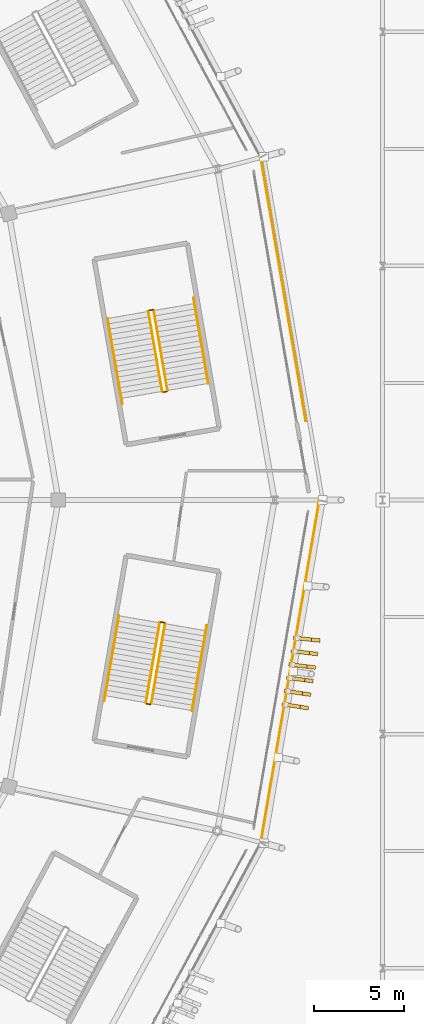
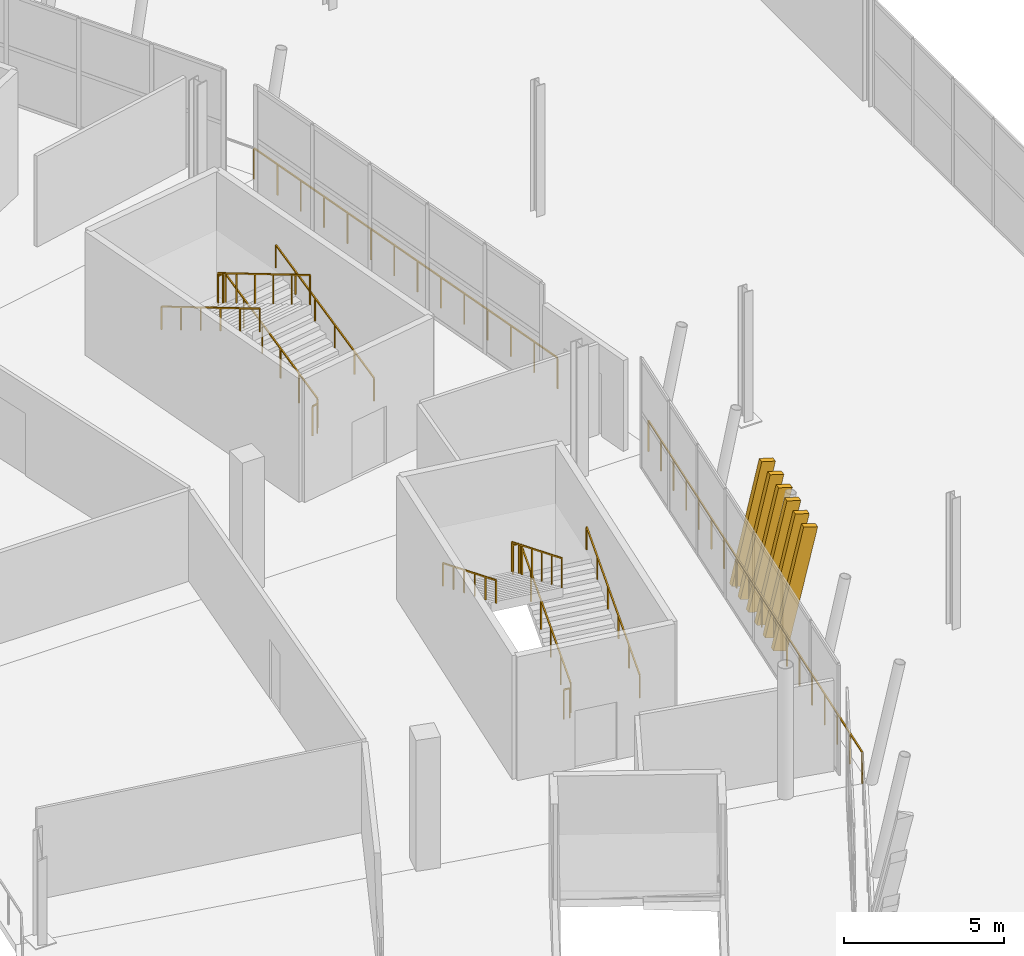
# One storey, part 168 of 179: 14 railings, 6 shading devices.
"""IFC4 building model written with IfcOpenShell, lengths in metres."""

from ifc_helpers import new_model, si_unit, direction, frame, origin, origin_2d, place, context, subcontext, project, spatial, rectangle, extrude, material, material_profile, profile_set, type_object, element, save


model = new_model("IFC4")

# Units and contexts
model_context = context("Model", 3, precision=1e-05, world=origin(), true_north=direction((0.0, 1.0)))
body_context = subcontext(model_context, "Body", "Model", "MODEL_VIEW")
ifc_project = project(units=[si_unit("LENGTHUNIT", "METRE"), si_unit("AREAUNIT", "SQUARE_METRE"), si_unit("VOLUMEUNIT", "CUBIC_METRE"), si_unit("PLANEANGLEUNIT", "RADIAN"), si_unit("MASSUNIT", "GRAM", prefix="KILO")], contexts=[model_context])

# Site, building, storey
site_placement = place(None, origin())
site = spatial("IfcSite", under=ifc_project, at=site_placement, CompositionType="ELEMENT")
building_placement = place(site_placement, origin())
building = spatial("IfcBuilding", under=site, at=building_placement, Name="Zlatoyarsky Gate Stadium", CompositionType="ELEMENT")
storey_placement = place(building_placement, frame((0.0, 0.0, 10.60009765625)))
storey = spatial("IfcBuildingStorey", under=building, at=storey_placement, Name="L02", CompositionType="ELEMENT", Elevation=10.60009765625)

# Railings
ifc_material_1 = material(Name="Powder-coated steel tubular guardrail", Category="steel")
railing_type_1 = type_object("IfcRailingType", Name="CONCOURSE SLAB EDGE GUARDRAIL 1200", PredefinedType="GUARDRAIL", material=ifc_material_1)
railing_1_placement = place(storey_placement, frame((205.74560546875, 84.38623046875, 0.0)))
element("IfcRailing", 1, at=railing_1_placement, inside=storey, type_object=railing_type_1, Name="L02 outer slab edge guardrail 00", PredefinedType="GUARDRAIL", context=body_context, shape_type="SweptSolid", body=[
    extrude(rectangle(XDim=0.048095703125, YDim=0.048095703125, at=origin_2d()), frame((0.0, 0.0, 1.17578125), z_axis=(-0.168612863217, 0.985682353681, 0.0), x_axis=(-0.985682353681, -0.168612863217, 0.0)), (0.0, 0.0, 1.0), 14.8486328125),
    extrude(rectangle(XDim=0.0419921875, YDim=0.0419921875, at=origin_2d()), origin(), (0.0, 0.0, 1.0), 1.15185546875),
    extrude(rectangle(XDim=0.0419921875, YDim=0.0419921875, at=origin_2d()), frame((-0.192626953125, 1.125732421875, 0.0)), (0.0, 0.0, 1.0), 1.15185546875),
    extrude(rectangle(XDim=0.0419921875, YDim=0.0419921875, at=origin_2d()), frame((-0.38525390625, 2.251708984375, 0.0)), (0.0, 0.0, 1.0), 1.15185546875),
    extrude(rectangle(XDim=0.0419921875, YDim=0.0419921875, at=origin_2d()), frame((-0.577880859375, 3.37744140625, 0.0)), (0.0, 0.0, 1.0), 1.15185546875),
    extrude(rectangle(XDim=0.0419921875, YDim=0.0419921875, at=origin_2d()), frame((-0.770263671875, 4.50341796875, 0.0)), (0.0, 0.0, 1.0), 1.15185546875),
    extrude(rectangle(XDim=0.0419921875, YDim=0.0419921875, at=origin_2d()), frame((-0.962890625, 5.629150390625, 0.0)), (0.0, 0.0, 1.0), 1.15185546875),
    extrude(rectangle(XDim=0.0419921875, YDim=0.0419921875, at=origin_2d()), frame((-1.155517578125, 6.755126953125, 0.0)), (0.0, 0.0, 1.0), 1.15185546875),
    extrude(rectangle(XDim=0.0419921875, YDim=0.0419921875, at=origin_2d()), frame((-1.34814453125, 7.880859375, 0.0)), (0.0, 0.0, 1.0), 1.15185546875),
    extrude(rectangle(XDim=0.0419921875, YDim=0.0419921875, at=origin_2d()), frame((-1.540771484375, 9.0068359375, 0.0)), (0.0, 0.0, 1.0), 1.15185546875),
    extrude(rectangle(XDim=0.0419921875, YDim=0.0419921875, at=origin_2d()), frame((-1.7333984375, 10.132568359375, 0.0)), (0.0, 0.0, 1.0), 1.15185546875),
    extrude(rectangle(XDim=0.0419921875, YDim=0.0419921875, at=origin_2d()), frame((-1.92578125, 11.258544921875, 0.0)), (0.0, 0.0, 1.0), 1.15185546875),
    extrude(rectangle(XDim=0.0419921875, YDim=0.0419921875, at=origin_2d()), frame((-2.118408203125, 12.38427734375, 0.0)), (0.0, 0.0, 1.0), 1.15185546875),
    extrude(rectangle(XDim=0.0419921875, YDim=0.0419921875, at=origin_2d()), frame((-2.31103515625, 13.51025390625, 0.0)), (0.0, 0.0, 1.0), 1.15185546875),
    extrude(rectangle(XDim=0.0419921875, YDim=0.0419921875, at=origin_2d()), frame((-2.503662109375, 14.635986328125, 0.0)), (0.0, 0.0, 1.0), 1.15185546875),
])
railing_2_placement = place(storey_placement, frame((203.241943359375, 60.977783203125, 0.0)))
element("IfcRailing", 2, at=railing_2_placement, inside=storey, type_object=railing_type_1, Name="L02 outer slab edge guardrail 23", PredefinedType="GUARDRAIL", context=body_context, shape_type="SweptSolid", body=[
    extrude(rectangle(XDim=0.048095703125, YDim=0.048095703125, at=origin_2d()), frame((0.0, 0.0, 1.17578125), z_axis=(0.168609161888, 0.985682986831, 0.0), x_axis=(-0.985682986831, 0.168609161888, 0.0)), (0.0, 0.0, 1.0), 19.298583984375),
    extrude(rectangle(XDim=0.0419921875, YDim=0.0419921875, at=origin_2d()), origin(), (0.0, 0.0, 1.0), 1.15185546875),
    extrude(rectangle(XDim=0.0419921875, YDim=0.0419921875, at=origin_2d()), frame((0.19140625, 1.118896484375, 0.0)), (0.0, 0.0, 1.0), 1.15185546875),
    extrude(rectangle(XDim=0.0419921875, YDim=0.0419921875, at=origin_2d()), frame((0.3828125, 2.23779296875, 0.0)), (0.0, 0.0, 1.0), 1.15185546875),
    extrude(rectangle(XDim=0.0419921875, YDim=0.0419921875, at=origin_2d()), frame((0.57421875, 3.35693359375, 0.0)), (0.0, 0.0, 1.0), 1.15185546875),
    extrude(rectangle(XDim=0.0419921875, YDim=0.0419921875, at=origin_2d()), frame((0.765625, 4.475830078125, 0.0)), (0.0, 0.0, 1.0), 1.15185546875),
    extrude(rectangle(XDim=0.0419921875, YDim=0.0419921875, at=origin_2d()), frame((0.95703125, 5.5947265625, 0.0)), (0.0, 0.0, 1.0), 1.15185546875),
    extrude(rectangle(XDim=0.0419921875, YDim=0.0419921875, at=origin_2d()), frame((1.1484375, 6.713623046875, 0.0)), (0.0, 0.0, 1.0), 1.15185546875),
    extrude(rectangle(XDim=0.0419921875, YDim=0.0419921875, at=origin_2d()), frame((1.33984375, 7.832763671875, 0.0)), (0.0, 0.0, 1.0), 1.15185546875),
    extrude(rectangle(XDim=0.0419921875, YDim=0.0419921875, at=origin_2d()), frame((1.53125, 8.95166015625, 0.0)), (0.0, 0.0, 1.0), 1.15185546875),
    extrude(rectangle(XDim=0.0419921875, YDim=0.0419921875, at=origin_2d()), frame((1.72265625, 10.070556640625, 0.0)), (0.0, 0.0, 1.0), 1.15185546875),
    extrude(rectangle(XDim=0.0419921875, YDim=0.0419921875, at=origin_2d()), frame((1.9140625, 11.189453125, 0.0)), (0.0, 0.0, 1.0), 1.15185546875),
    extrude(rectangle(XDim=0.0419921875, YDim=0.0419921875, at=origin_2d()), frame((2.10546875, 12.30859375, 0.0)), (0.0, 0.0, 1.0), 1.15185546875),
    extrude(rectangle(XDim=0.0419921875, YDim=0.0419921875, at=origin_2d()), frame((2.296875, 13.427490234375, 0.0)), (0.0, 0.0, 1.0), 1.15185546875),
    extrude(rectangle(XDim=0.0419921875, YDim=0.0419921875, at=origin_2d()), frame((2.48828125, 14.54638671875, 0.0)), (0.0, 0.0, 1.0), 1.15185546875),
    extrude(rectangle(XDim=0.0419921875, YDim=0.0419921875, at=origin_2d()), frame((2.6796875, 15.665283203125, 0.0)), (0.0, 0.0, 1.0), 1.15185546875),
    extrude(rectangle(XDim=0.0419921875, YDim=0.0419921875, at=origin_2d()), frame((2.87109375, 16.784423828125, 0.0)), (0.0, 0.0, 1.0), 1.15185546875),
    extrude(rectangle(XDim=0.0419921875, YDim=0.0419921875, at=origin_2d()), frame((3.0625, 17.9033203125, 0.0)), (0.0, 0.0, 1.0), 1.15185546875),
    extrude(rectangle(XDim=0.0419921875, YDim=0.0419921875, at=origin_2d()), frame((3.25390625, 19.022216796875, 0.0)), (0.0, 0.0, 1.0), 1.15185546875),
])
ifc_material_2 = material(Name="Powder-coated steel stair guardrail", Category="steel")
railing_type_2 = type_object("IfcRailingType", Name="PAINTED STEEL STAIR WELL GUARDRAIL 1150", PredefinedType="GUARDRAIL", material=ifc_material_2)
railing_3_placement = place(storey_placement, frame((198.0595703125, 86.085693359375, 0.15625)))
element("IfcRailing", 3, at=railing_3_placement, inside=storey, type_object=railing_type_2, Name="ST-01 L02 stair guard 1", PredefinedType="GUARDRAIL", context=body_context, shape_type="SweptSolid", body=[
    extrude(rectangle(XDim=0.048095703125, YDim=0.048095703125, at=origin_2d()), frame((0.0, 0.0, 1.1259765625), z_axis=(-0.150705808246, 0.874016698911, 0.461933511867), x_axis=(-0.985457609709, -0.16992145087, 0.0)), (0.0, 0.0, 1.0), 5.07373046875),
    extrude(rectangle(XDim=0.0419921875, YDim=0.0419921875, at=origin_2d()), origin(), (0.0, 0.0, 1.0), 1.101806640625),
    extrude(rectangle(XDim=0.0419921875, YDim=0.0419921875, at=origin_2d()), frame((-0.15283203125, 0.886962890625, 0.46875)), (0.0, 0.0, 1.0), 1.101806640625),
    extrude(rectangle(XDim=0.0419921875, YDim=0.0419921875, at=origin_2d()), frame((-0.305908203125, 1.77392578125, 0.9375)), (0.0, 0.0, 1.0), 1.101806640625),
    extrude(rectangle(XDim=0.0419921875, YDim=0.0419921875, at=origin_2d()), frame((-0.458740234375, 2.66064453125, 1.40625)), (0.0, 0.0, 1.0), 1.101806640625),
    extrude(rectangle(XDim=0.0419921875, YDim=0.0419921875, at=origin_2d()), frame((-0.61181640625, 3.547607421875, 1.875)), (0.0, 0.0, 1.0), 1.101806640625),
    extrude(rectangle(XDim=0.0419921875, YDim=0.0419921875, at=origin_2d()), frame((-0.7646484375, 4.4345703125, 2.34375)), (0.0, 0.0, 1.0), 1.101806640625),
])
railing_4_placement = place(storey_placement, frame((197.237060546875, 90.56103515625, 2.5)))
element("IfcRailing", 4, at=railing_4_placement, inside=storey, type_object=railing_type_2, Name="ST-01 L02 stair guard 2", PredefinedType="GUARDRAIL", context=body_context, shape_type="SweptSolid", body=[
    extrude(rectangle(XDim=0.048095703125, YDim=0.048095703125, at=origin_2d()), frame((0.0, 0.0, 1.1259765625), z_axis=(-0.985488304827, -0.16974333875, 0.0), x_axis=(0.16974333875, -0.985488304827, 0.0)), (0.0, 0.0, 1.0), 0.199951171875),
    extrude(rectangle(XDim=0.0419921875, YDim=0.0419921875, at=origin_2d()), origin(), (0.0, 0.0, 1.0), 1.101806640625),
    extrude(rectangle(XDim=0.0419921875, YDim=0.0419921875, at=origin_2d()), frame((-0.197021484375, -0.033935546875, 0.0)), (0.0, 0.0, 1.0), 1.101806640625),
])
railing_5_placement = place(storey_placement, frame((196.999267578125, 90.469482421875, 2.65625)))
element("IfcRailing", 5, at=railing_5_placement, inside=storey, type_object=railing_type_2, Name="ST-01 L02 stair guard 3", PredefinedType="GUARDRAIL", context=body_context, shape_type="SweptSolid", body=[
    extrude(rectangle(XDim=0.048095703125, YDim=0.048095703125, at=origin_2d()), frame((0.0, 0.0, 1.1259765625), z_axis=(0.150705808246, -0.874016698911, 0.461933511867), x_axis=(0.985457609709, 0.16992145087, 0.0)), (0.0, 0.0, 1.0), 5.07373046875),
    extrude(rectangle(XDim=0.0419921875, YDim=0.0419921875, at=origin_2d()), origin(), (0.0, 0.0, 1.0), 1.101806640625),
    extrude(rectangle(XDim=0.0419921875, YDim=0.0419921875, at=origin_2d()), frame((0.15283203125, -0.886962890625, 0.46875)), (0.0, 0.0, 1.0), 1.101806640625),
    extrude(rectangle(XDim=0.0419921875, YDim=0.0419921875, at=origin_2d()), frame((0.305908203125, -1.77392578125, 0.9375)), (0.0, 0.0, 1.0), 1.101806640625),
    extrude(rectangle(XDim=0.0419921875, YDim=0.0419921875, at=origin_2d()), frame((0.458740234375, -2.66064453125, 1.40625)), (0.0, 0.0, 1.0), 1.101806640625),
    extrude(rectangle(XDim=0.0419921875, YDim=0.0419921875, at=origin_2d()), frame((0.61181640625, -3.547607421875, 1.875)), (0.0, 0.0, 1.0), 1.101806640625),
    extrude(rectangle(XDim=0.0419921875, YDim=0.0419921875, at=origin_2d()), frame((0.7646484375, -4.4345703125, 2.34375)), (0.0, 0.0, 1.0), 1.101806640625),
])
railing_6_placement = place(storey_placement, frame((198.018798828125, 86.028076171875, 0.0)))
element("IfcRailing", 6, at=railing_6_placement, inside=storey, type_object=railing_type_2, Name="ST-01 L02 stair guard 4", PredefinedType="GUARDRAIL", context=body_context, shape_type="SweptSolid", body=[
    extrude(rectangle(XDim=0.048095703125, YDim=0.048095703125, at=origin_2d()), frame((0.0, 0.0, 1.1259765625), z_axis=(-0.985488304827, -0.16974333875, 0.0), x_axis=(0.16974333875, -0.985488304827, 0.0)), (0.0, 0.0, 1.0), 0.199951171875),
    extrude(rectangle(XDim=0.0419921875, YDim=0.0419921875, at=origin_2d()), origin(), (0.0, 0.0, 1.0), 1.101806640625),
    extrude(rectangle(XDim=0.0419921875, YDim=0.0419921875, at=origin_2d()), frame((-0.197021484375, -0.033935546875, 0.0)), (0.0, 0.0, 1.0), 1.101806640625),
])
railing_7_placement = place(storey_placement, frame((197.158935546875, 68.69140625, 0.15625)))
element("IfcRailing", 7, at=railing_7_placement, inside=storey, type_object=railing_type_2, Name="ST-20 L02 stair guard 1", PredefinedType="GUARDRAIL", context=body_context, shape_type="SweptSolid", body=[
    extrude(rectangle(XDim=0.048095703125, YDim=0.048095703125, at=origin_2d()), frame((0.0, 0.0, 1.1259765625), z_axis=(0.150705808246, 0.874016698911, 0.461933511867), x_axis=(-0.985457609709, 0.16992145087, 0.0)), (0.0, 0.0, 1.0), 5.07373046875),
    extrude(rectangle(XDim=0.0419921875, YDim=0.0419921875, at=origin_2d()), origin(), (0.0, 0.0, 1.0), 1.101806640625),
    extrude(rectangle(XDim=0.0419921875, YDim=0.0419921875, at=origin_2d()), frame((0.15283203125, 0.886962890625, 0.46875)), (0.0, 0.0, 1.0), 1.101806640625),
    extrude(rectangle(XDim=0.0419921875, YDim=0.0419921875, at=origin_2d()), frame((0.305908203125, 1.77392578125, 0.9375)), (0.0, 0.0, 1.0), 1.101806640625),
    extrude(rectangle(XDim=0.0419921875, YDim=0.0419921875, at=origin_2d()), frame((0.458740234375, 2.66064453125, 1.40625)), (0.0, 0.0, 1.0), 1.101806640625),
    extrude(rectangle(XDim=0.0419921875, YDim=0.0419921875, at=origin_2d()), frame((0.61181640625, 3.547607421875, 1.875)), (0.0, 0.0, 1.0), 1.101806640625),
    extrude(rectangle(XDim=0.0419921875, YDim=0.0419921875, at=origin_2d()), frame((0.7646484375, 4.4345703125, 2.34375)), (0.0, 0.0, 1.0), 1.101806640625),
])
railing_8_placement = place(storey_placement, frame((197.8828125, 73.18359375, 2.5)))
element("IfcRailing", 8, at=railing_8_placement, inside=storey, type_object=railing_type_2, Name="ST-20 L02 stair guard 2", PredefinedType="GUARDRAIL", context=body_context, shape_type="SweptSolid", body=[
    extrude(rectangle(XDim=0.048095703125, YDim=0.048095703125, at=origin_2d()), frame((0.0, 0.0, 1.1259765625), z_axis=(-0.985488304827, 0.16974333875, 0.0), x_axis=(-0.16974333875, -0.985488304827, 0.0)), (0.0, 0.0, 1.0), 0.199951171875),
    extrude(rectangle(XDim=0.0419921875, YDim=0.0419921875, at=origin_2d()), origin(), (0.0, 0.0, 1.0), 1.101806640625),
    extrude(rectangle(XDim=0.0419921875, YDim=0.0419921875, at=origin_2d()), frame((-0.197021484375, 0.033935546875, 0.0)), (0.0, 0.0, 1.0), 1.101806640625),
])
railing_9_placement = place(storey_placement, frame((197.6279296875, 73.1767578125, 2.65625)))
element("IfcRailing", 9, at=railing_9_placement, inside=storey, type_object=railing_type_2, Name="ST-20 L02 stair guard 3", PredefinedType="GUARDRAIL", context=body_context, shape_type="SweptSolid", body=[
    extrude(rectangle(XDim=0.048095703125, YDim=0.048095703125, at=origin_2d()), frame((0.0, 0.0, 1.1259765625), z_axis=(-0.150705808246, -0.874016698911, 0.461933511867), x_axis=(0.985457609709, -0.16992145087, 0.0)), (0.0, 0.0, 1.0), 5.07373046875),
    extrude(rectangle(XDim=0.0419921875, YDim=0.0419921875, at=origin_2d()), origin(), (0.0, 0.0, 1.0), 1.101806640625),
    extrude(rectangle(XDim=0.0419921875, YDim=0.0419921875, at=origin_2d()), frame((-0.15283203125, -0.886962890625, 0.46875)), (0.0, 0.0, 1.0), 1.101806640625),
    extrude(rectangle(XDim=0.0419921875, YDim=0.0419921875, at=origin_2d()), frame((-0.305908203125, -1.77392578125, 0.9375)), (0.0, 0.0, 1.0), 1.101806640625),
    extrude(rectangle(XDim=0.0419921875, YDim=0.0419921875, at=origin_2d()), frame((-0.458740234375, -2.66064453125, 1.40625)), (0.0, 0.0, 1.0), 1.101806640625),
    extrude(rectangle(XDim=0.0419921875, YDim=0.0419921875, at=origin_2d()), frame((-0.61181640625, -3.547607421875, 1.875)), (0.0, 0.0, 1.0), 1.101806640625),
    extrude(rectangle(XDim=0.0419921875, YDim=0.0419921875, at=origin_2d()), frame((-0.7646484375, -4.4345703125, 2.34375)), (0.0, 0.0, 1.0), 1.101806640625),
])
railing_10_placement = place(storey_placement, frame((197.10107421875, 68.650634765625, 0.0)))
element("IfcRailing", 10, at=railing_10_placement, inside=storey, type_object=railing_type_2, Name="ST-20 L02 stair guard 4", PredefinedType="GUARDRAIL", context=body_context, shape_type="SweptSolid", body=[
    extrude(rectangle(XDim=0.048095703125, YDim=0.048095703125, at=origin_2d()), frame((0.0, 0.0, 1.1259765625), z_axis=(-0.985488304827, 0.16974333875, 0.0), x_axis=(-0.16974333875, -0.985488304827, 0.0)), (0.0, 0.0, 1.0), 0.199951171875),
    extrude(rectangle(XDim=0.0419921875, YDim=0.0419921875, at=origin_2d()), origin(), (0.0, 0.0, 1.0), 1.101806640625),
    extrude(rectangle(XDim=0.0419921875, YDim=0.0419921875, at=origin_2d()), frame((-0.197021484375, 0.033935546875, 0.0)), (0.0, 0.0, 1.0), 1.101806640625),
])

# Shading devices
ifc_material_3 = material(Name="Precast concrete C40/50 stone-toned architectural rib", Category="masonry")
ifc_material_profile = material_profile(ifc_material_3, rectangle(XDim=0.199951171875, YDim=0.47998046875, at=origin_2d()), Name="RIB 200X480")
ifc_profile_set = profile_set([ifc_material_profile], Name="Precast concrete C40/50 stone-toned architectural rib")
shading_device_type = type_object("IfcShadingDeviceType", Name="PRECAST FLUTED GATE LOUVRE BLADE 200X480", PredefinedType="SHUTTER", material=ifc_profile_set)
for number, where, z_axis, x_axis, name in (
    (11, (204.651123046875, 68.627685546875, -0.010009765625), (0.218837821303, -0.034489010691, 0.975151534947), (0.155679254543, 0.987807658254, 0.0), "Leaning bowl louvre fin L02-23-1"),
    (12, (204.777587890625, 69.3671875, -0.010009765625), (0.219157317157, -0.032310293121, 0.975154405874), (0.145853104937, 0.989306257829, 0.0), "Leaning bowl louvre fin L02-23-2"),
):
    element("IfcShadingDevice", number, at=place(storey_placement, frame(where, z_axis=z_axis, x_axis=x_axis)), inside=storey, type_object=shading_device_type, Name=name, PredefinedType="SHUTTER", context=body_context, shape_type="SweptSolid", body=[
        extrude(rectangle(XDim=0.199951171875, YDim=0.47998046875, at=origin_2d()), origin(), (0.0, 0.0, 1.0), 4.59423828125),
    ])
for number, where, z_axis, x_axis, name in (
    (13, (204.904052734375, 70.1064453125, -0.010009765625), (0.219425869262, -0.030025579107, 0.975167038254), (0.135573627963, 0.990767274087, 0.0), "Leaning bowl louvre fin L02-23-3"),
    (14, (205.030517578125, 70.845703125, -0.010009765625), (0.219692941436, -0.027793761096, 0.975173070961), (0.125511419329, 0.992092174961, 0.0), "Leaning bowl louvre fin L02-23-4"),
):
    element("IfcShadingDevice", number, at=place(storey_placement, frame(where, z_axis=z_axis, x_axis=x_axis)), inside=storey, type_object=shading_device_type, Name=name, PredefinedType="SHUTTER", context=body_context, shape_type="SweptSolid", body=[
        extrude(rectangle(XDim=0.199951171875, YDim=0.47998046875, at=origin_2d()), origin(), (0.0, 0.0, 1.0), 4.593994140625),
    ])
for number, where, z_axis, x_axis, name in (
    (15, (205.15673828125, 71.5849609375, -0.010009765625), (0.220060045727, -0.025561188601, 0.975151373845), (0.115379767914, 0.993321453084, 0.0), "Leaning bowl louvre fin L02-23-5"),
    (16, (205.283203125, 72.32421875, -0.010009765625), (0.220324885015, -0.023329142432, 0.97514752533), (0.105296560496, 0.994440865184, 0.0), "Leaning bowl louvre fin L02-23-6"),
):
    element("IfcShadingDevice", number, at=place(storey_placement, frame(where, z_axis=z_axis, x_axis=x_axis)), inside=storey, type_object=shading_device_type, Name=name, PredefinedType="SHUTTER", context=body_context, shape_type="SweptSolid", body=[
        extrude(rectangle(XDim=0.199951171875, YDim=0.47998046875, at=origin_2d()), origin(), (0.0, 0.0, 1.0), 4.59423828125),
    ])

# Railings
ifc_material_4 = material(Name="Brushed stainless steel 316 handrail", Category="steel")
railing_type_3 = type_object("IfcRailingType", Name="STAINLESS STEEL TUBULAR HANDRAIL 900", PredefinedType="HANDRAIL", material=ifc_material_4)
railing_11_placement = place(storey_placement, frame((200.326171875, 86.4765625, 0.16015625)))
element("IfcRailing", 17, at=railing_11_placement, inside=storey, type_object=railing_type_3, Name="ST-01 L02 stair handrail 1", PredefinedType="HANDRAIL", context=body_context, shape_type="SweptSolid", body=[
    extrude(rectangle(XDim=0.048095703125, YDim=0.048095703125, at=origin_2d()), frame((0.0, 0.0, 0.8759765625), z_axis=(-0.150714229303, 0.874016220516, 0.461931669579), x_axis=(-0.985456004189, -0.169930761806, 0.0)), (0.0, 0.0, 1.0), 5.412109375),
    extrude(rectangle(XDim=0.0419921875, YDim=0.0419921875, at=origin_2d()), origin(), (0.0, 0.0, 1.0), 0.851806640625),
    extrude(rectangle(XDim=0.0419921875, YDim=0.0419921875, at=origin_2d()), frame((-0.1630859375, 0.946044921875, 0.5)), (0.0, 0.0, 1.0), 0.851806640625),
    extrude(rectangle(XDim=0.0419921875, YDim=0.0419921875, at=origin_2d()), frame((-0.326171875, 1.89208984375, 1.0)), (0.0, 0.0, 1.0), 0.851806640625),
    extrude(rectangle(XDim=0.0419921875, YDim=0.0419921875, at=origin_2d()), frame((-0.489501953125, 2.838134765625, 1.5)), (0.0, 0.0, 1.0), 0.851806640625),
    extrude(rectangle(XDim=0.0419921875, YDim=0.0419921875, at=origin_2d()), frame((-0.652587890625, 3.7841796875, 2.0)), (0.0, 0.0, 1.0), 0.851806640625),
    extrude(rectangle(XDim=0.0419921875, YDim=0.0419921875, at=origin_2d()), frame((-0.815673828125, 4.730224609375, 2.5)), (0.0, 0.0, 1.0), 0.851806640625),
])
railing_12_placement = place(storey_placement, frame((194.732666015625, 90.07861328125, 2.66015625)))
element("IfcRailing", 18, at=railing_12_placement, inside=storey, type_object=railing_type_3, Name="ST-01 L02 stair handrail 2", PredefinedType="HANDRAIL", context=body_context, shape_type="SweptSolid", body=[
    extrude(rectangle(XDim=0.048095703125, YDim=0.048095703125, at=origin_2d()), frame((0.0, 0.0, 0.8759765625), z_axis=(0.150714229303, -0.874016220516, 0.461931669579), x_axis=(0.985456004189, 0.169930761806, 0.0)), (0.0, 0.0, 1.0), 5.412109375),
    extrude(rectangle(XDim=0.0419921875, YDim=0.0419921875, at=origin_2d()), origin(), (0.0, 0.0, 1.0), 0.851806640625),
    extrude(rectangle(XDim=0.0419921875, YDim=0.0419921875, at=origin_2d()), frame((0.1630859375, -0.946044921875, 0.5)), (0.0, 0.0, 1.0), 0.851806640625),
    extrude(rectangle(XDim=0.0419921875, YDim=0.0419921875, at=origin_2d()), frame((0.326171875, -1.89208984375, 1.0)), (0.0, 0.0, 1.0), 0.851806640625),
    extrude(rectangle(XDim=0.0419921875, YDim=0.0419921875, at=origin_2d()), frame((0.489501953125, -2.838134765625, 1.5)), (0.0, 0.0, 1.0), 0.851806640625),
    extrude(rectangle(XDim=0.0419921875, YDim=0.0419921875, at=origin_2d()), frame((0.652587890625, -3.7841796875, 2.0)), (0.0, 0.0, 1.0), 0.851806640625),
    extrude(rectangle(XDim=0.0419921875, YDim=0.0419921875, at=origin_2d()), frame((0.815673828125, -4.730224609375, 2.5)), (0.0, 0.0, 1.0), 0.851806640625),
])
railing_13_placement = place(storey_placement, frame((199.425537109375, 68.300537109375, 0.16015625)))
element("IfcRailing", 19, at=railing_13_placement, inside=storey, type_object=railing_type_3, Name="ST-20 L02 stair handrail 1", PredefinedType="HANDRAIL", context=body_context, shape_type="SweptSolid", body=[
    extrude(rectangle(XDim=0.048095703125, YDim=0.048095703125, at=origin_2d()), frame((0.0, 0.0, 0.8759765625), z_axis=(0.150714229303, 0.874016220516, 0.461931669579), x_axis=(-0.985456004189, 0.169930761806, 0.0)), (0.0, 0.0, 1.0), 5.412109375),
    extrude(rectangle(XDim=0.0419921875, YDim=0.0419921875, at=origin_2d()), origin(), (0.0, 0.0, 1.0), 0.851806640625),
    extrude(rectangle(XDim=0.0419921875, YDim=0.0419921875, at=origin_2d()), frame((0.1630859375, 0.946044921875, 0.5)), (0.0, 0.0, 1.0), 0.851806640625),
    extrude(rectangle(XDim=0.0419921875, YDim=0.0419921875, at=origin_2d()), frame((0.326171875, 1.89208984375, 1.0)), (0.0, 0.0, 1.0), 0.851806640625),
    extrude(rectangle(XDim=0.0419921875, YDim=0.0419921875, at=origin_2d()), frame((0.489501953125, 2.838134765625, 1.5)), (0.0, 0.0, 1.0), 0.851806640625),
    extrude(rectangle(XDim=0.0419921875, YDim=0.0419921875, at=origin_2d()), frame((0.652587890625, 3.7841796875, 2.0)), (0.0, 0.0, 1.0), 0.851806640625),
    extrude(rectangle(XDim=0.0419921875, YDim=0.0419921875, at=origin_2d()), frame((0.815673828125, 4.730224609375, 2.5)), (0.0, 0.0, 1.0), 0.851806640625),
])
railing_14_placement = place(storey_placement, frame((195.361572265625, 73.567626953125, 2.66015625)))
element("IfcRailing", 20, at=railing_14_placement, inside=storey, type_object=railing_type_3, Name="ST-20 L02 stair handrail 2", PredefinedType="HANDRAIL", context=body_context, shape_type="SweptSolid", body=[
    extrude(rectangle(XDim=0.048095703125, YDim=0.048095703125, at=origin_2d()), frame((0.0, 0.0, 0.8759765625), z_axis=(-0.150758314693, -0.874010277429, 0.461928528561), x_axis=(0.985447485669, -0.169980154689, 0.0)), (0.0, 0.0, 1.0), 5.412109375),
    extrude(rectangle(XDim=0.0419921875, YDim=0.0419921875, at=origin_2d()), origin(), (0.0, 0.0, 1.0), 0.851806640625),
    extrude(rectangle(XDim=0.0419921875, YDim=0.0419921875, at=origin_2d()), frame((-0.1630859375, -0.946044921875, 0.5)), (0.0, 0.0, 1.0), 0.851806640625),
    extrude(rectangle(XDim=0.0419921875, YDim=0.0419921875, at=origin_2d()), frame((-0.326416015625, -1.89208984375, 1.0)), (0.0, 0.0, 1.0), 0.851806640625),
    extrude(rectangle(XDim=0.0419921875, YDim=0.0419921875, at=origin_2d()), frame((-0.489501953125, -2.838134765625, 1.5)), (0.0, 0.0, 1.0), 0.851806640625),
    extrude(rectangle(XDim=0.0419921875, YDim=0.0419921875, at=origin_2d()), frame((-0.65283203125, -3.7841796875, 2.0)), (0.0, 0.0, 1.0), 0.851806640625),
    extrude(rectangle(XDim=0.0419921875, YDim=0.0419921875, at=origin_2d()), frame((-0.81591796875, -4.730224609375, 2.5)), (0.0, 0.0, 1.0), 0.851806640625),
])

save(model, "model.ifc")
